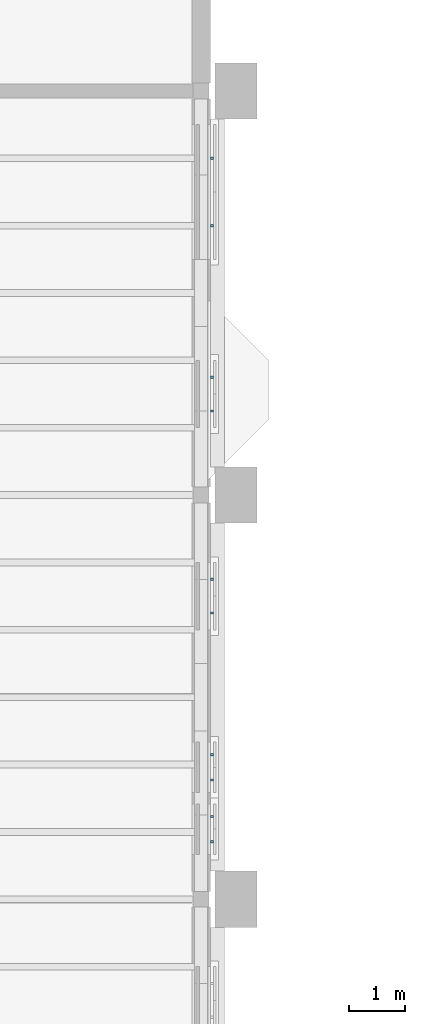
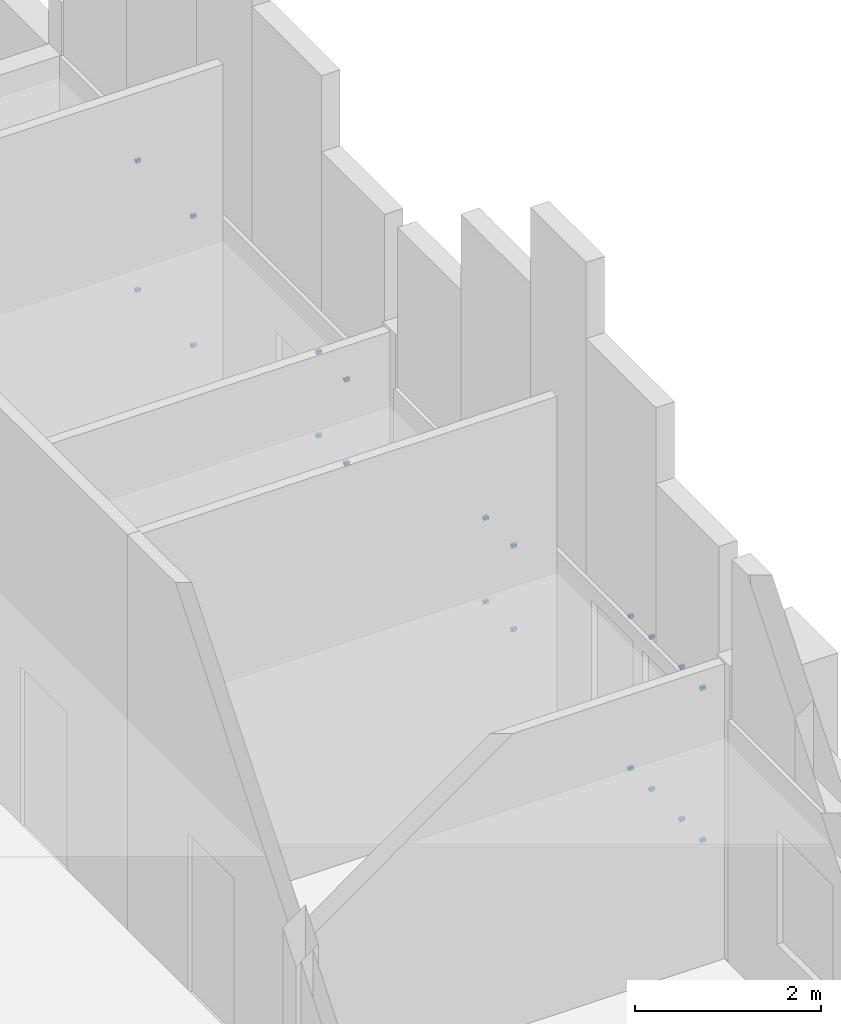
# One storey, part 44 of 51: 20 discrete accessories.
"""IFC4 building model written with IfcOpenShell, lengths in metres."""

from ifc_helpers import new_model, si_unit, direction, frame, origin, origin_2d, place, context, subcontext, project, spatial, rectangle, extrude, material, type_object, element, save


model = new_model("IFC4")

# Units and contexts
model_context = context("Model", 3, precision=1e-05, world=origin(), true_north=direction((0.0, 1.0)))
body_context = subcontext(model_context, "Body", "Model", "MODEL_VIEW")
ifc_project = project(units=[si_unit("LENGTHUNIT", "METRE"), si_unit("AREAUNIT", "SQUARE_METRE"), si_unit("VOLUMEUNIT", "CUBIC_METRE"), si_unit("PLANEANGLEUNIT", "RADIAN"), si_unit("MASSUNIT", "GRAM", prefix="KILO")], contexts=[model_context])

# Site, building, storey
site_placement = place(None, origin())
site = spatial("IfcSite", under=ifc_project, at=site_placement, CompositionType="ELEMENT")
building_placement = place(site_placement, origin())
building = spatial("IfcBuilding", under=site, at=building_placement, Name="Mazhai Court Health Centre", CompositionType="ELEMENT")
storey_placement = place(building_placement, frame((0.0, 0.0, 14.10009765625)))
storey = spatial("IfcBuildingStorey", under=building, at=storey_placement, Name="L03", CompositionType="ELEMENT", Elevation=14.10009765625)

# Discrete accessories
ifc_material = material(Name="Steel IS 2062 E250", Category="steel")
discrete_accessory_type = type_object("IfcDiscreteAccessoryType", Name="BRACKET 40", PredefinedType="BRACKET", material=ifc_material)
for number, where, z_axis, x_axis, name in (
    (1, (35.195068359375, 21.625, 0.77978515625), (0.0, 0.0, 1.0), (0.0, 1.0, 0.0), "BR-V5-L03-B20aa0"),
    (2, (35.195068359375, 21.625, 2.77978515625), (0.0, 0.0, 1.0), (0.0, 1.0, 0.0), "BR-V5-L03-B20aa1"),
    (3, (35.195068359375, 22.074951171875, 0.77978515625), (0.0, 0.0, 1.0), (0.0, 1.0, 0.0), "BR-V5-L03-B20ab0"),
    (4, (35.195068359375, 22.074951171875, 2.77978515625), (0.0, 0.0, 1.0), (0.0, 1.0, 0.0), "BR-V5-L03-B20ab1"),
    (5, (35.195068359375, 22.72509765625, 0.77978515625), (0.0, 0.0, 1.0), (0.0, 1.0, 0.0), "BR-V5-L03-B20ba0"),
    (6, (35.195068359375, 22.72509765625, 2.77978515625), (0.0, 0.0, 1.0), (0.0, 1.0, 0.0), "BR-V5-L03-B20ba1"),
    (7, (35.195068359375, 23.175048828125, 0.77978515625), (0.0, 0.0, 1.0), (0.0, 1.0, 0.0), "BR-V5-L03-B20bb0"),
    (8, (35.195068359375, 23.175048828125, 2.77978515625), (0.0, 0.0, 1.0), (0.0, 1.0, 0.0), "BR-V5-L03-B20bb1"),
    (9, (35.195068359375, 25.699951171875, 1.079833984375), (0.0, 0.0, 1.0), (0.0, 1.0, 0.0), "BR-V5-L03-B21a0"),
    (10, (35.195068359375, 25.699951171875, 2.179931640625), (0.0, 0.0, 1.0), (0.0, 1.0, 0.0), "BR-V5-L03-B21a1"),
    (11, (35.195068359375, 26.300048828125, 1.079833984375), (0.0, 0.0, 1.0), (0.0, 1.0, 0.0), "BR-V5-L03-B21b0"),
    (12, (35.195068359375, 26.300048828125, 2.179931640625), (0.0, 0.0, 1.0), (0.0, 1.0, 0.0), "BR-V5-L03-B21b1"),
    (13, (35.195068359375, 29.300048828125, 1.079833984375), (0.0, 0.0, 1.0), (0.0, 1.0, 0.0), "BR-V5-L03-B30a0"),
    (14, (35.195068359375, 29.300048828125, 2.179931640625), (0.0, 0.0, 1.0), (0.0, 1.0, 0.0), "BR-V5-L03-B30a1"),
    (15, (35.195068359375, 29.89990234375, 1.079833984375), (0.0, 0.0, 1.0), (0.0, 1.0, 0.0), "BR-V5-L03-B30b0"),
    (16, (35.195068359375, 29.89990234375, 2.179931640625), (0.0, 0.0, 1.0), (0.0, 1.0, 0.0), "BR-V5-L03-B30b1"),
    (17, (35.195068359375, 32.60009765625, 0.6298828125), (0.0, 0.0, 1.0), (0.0, 1.0, 0.0), "BR-V5-L03-B31a0"),
    (18, (35.195068359375, 32.60009765625, 2.329833984375), (0.0, 0.0, 1.0), (0.0, 1.0, 0.0), "BR-V5-L03-B31a1"),
    (19, (35.195068359375, 33.800048828125, 0.6298828125), (0.0, 0.0, 1.0), (0.0, 1.0, 0.0), "BR-V5-L03-B31b0"),
    (20, (35.195068359375, 33.800048828125, 2.329833984375), (0.0, 0.0, 1.0), (0.0, 1.0, 0.0), "BR-V5-L03-B31b1"),
):
    element("IfcDiscreteAccessory", number, at=place(storey_placement, frame(where, z_axis=z_axis, x_axis=x_axis)), inside=storey, type_object=discrete_accessory_type, Name=name, PredefinedType="BRACKET", context=body_context, shape_type="SweptSolid", body=[
        extrude(rectangle(XDim=0.0400390625, YDim=0.06005859375, at=origin_2d()), origin(), (0.0, 0.0, 1.0), 0.0400390625),
    ])

save(model, "model.ifc")
